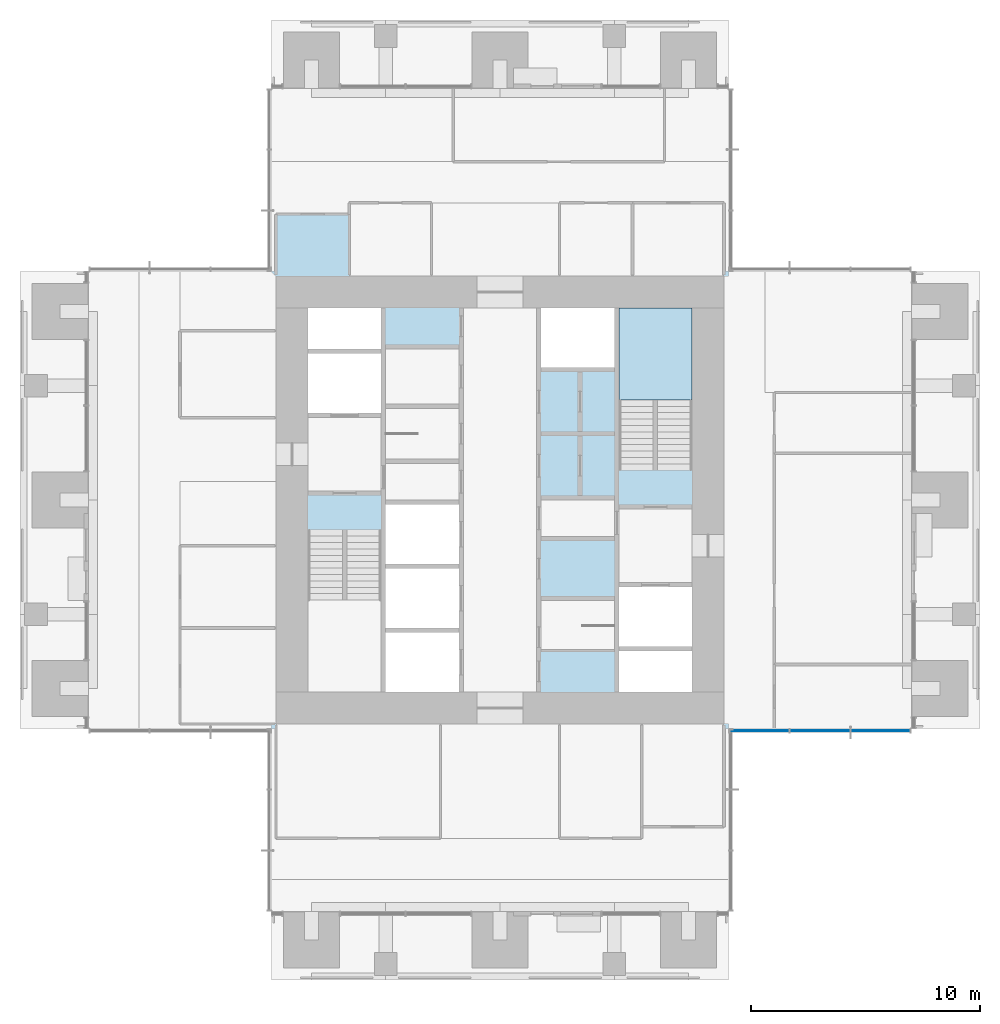
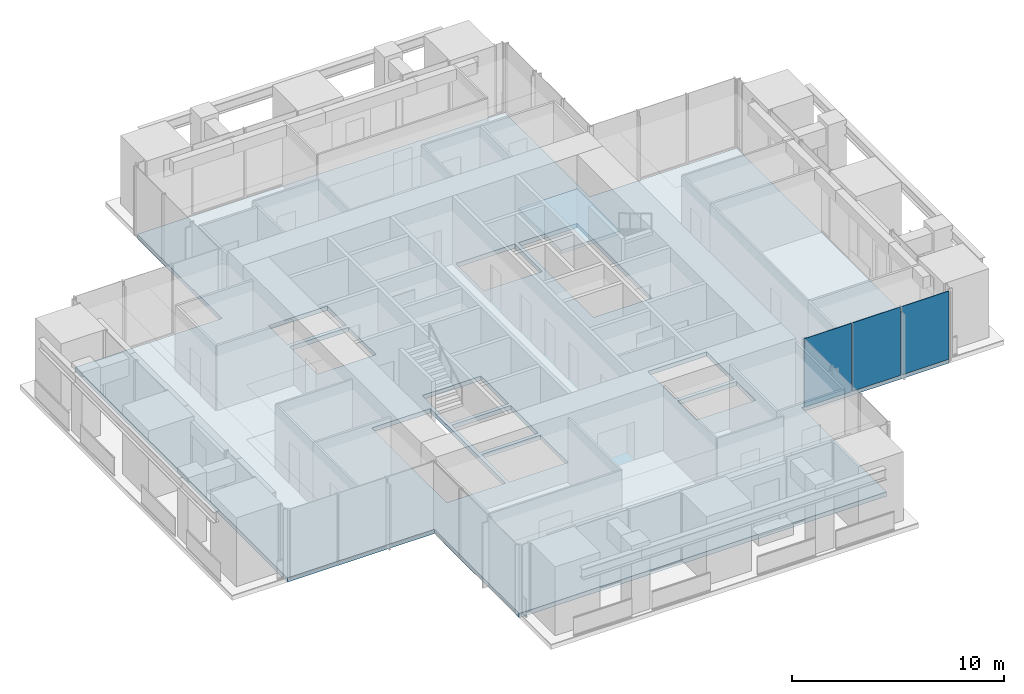
# One storey, part 9 of 17: 3 plates, 2 slabs, 2 elements without a shape of their own.
"""IFC4 building model written with IfcOpenShell, lengths in metres."""

from ifc_helpers import new_model, si_unit, direction, frame, origin, origin_2d, place, context, subcontext, project, spatial, polyline, rectangle, outline, extrude, material, layer, layer_set, type_object, element, aggregate, save


model = new_model("IFC4")

# Units and contexts
model_context = context("Model", 3, precision=1e-05, world=origin(), true_north=direction((0.0, 1.0)))
body_context = subcontext(model_context, "Body", "Model", "MODEL_VIEW")
ifc_project = project(units=[si_unit("LENGTHUNIT", "METRE"), si_unit("AREAUNIT", "SQUARE_METRE"), si_unit("VOLUMEUNIT", "CUBIC_METRE"), si_unit("PLANEANGLEUNIT", "RADIAN"), si_unit("MASSUNIT", "GRAM", prefix="KILO")], contexts=[model_context])

# Site, building, storey
site_placement = place(None, origin())
site = spatial("IfcSite", under=ifc_project, at=site_placement, CompositionType="ELEMENT")
building_placement = place(site_placement, origin())
building = spatial("IfcBuilding", under=site, at=building_placement, Name="Svetlomir Tower", CompositionType="ELEMENT")
storey_placement = place(building_placement, frame((0.0, 0.0, 186.5)))
storey = spatial("IfcBuildingStorey", under=building, at=storey_placement, Name="L44", CompositionType="ELEMENT", Elevation=186.5)

# Curtain wall, plates
ifc_material_1 = material(Name="Bronze anodised aluminium curtain wall", Category="aluminium")
curtain_wall_type = type_object("IfcCurtainWallType", Name="CURTAIN WALL CW1 TOWER OFFICE", PredefinedType="NOTDEFINED", material=ifc_material_1)
curtain_wall_placement = place(storey_placement, origin())
curtain_wall = element("IfcCurtainWall", 1, at=curtain_wall_placement, inside=storey, type_object=curtain_wall_type, Name="Curtain wall CW1 L44", PredefinedType="NOTDEFINED")
ifc_material_2 = material(Name="Tinted double glazed unit", Category="glass")
ifc_layer_1 = layer(ifc_material_2, 0.031982421875)
ifc_layer_set_1 = layer_set([ifc_layer_1], Name="Tinted double glazed unit")
plate_type = type_object("IfcPlateType", Name="CW1 GLAZED PANEL 32", PredefinedType="CURTAIN_PANEL", material=ifc_layer_set_1)
plate_1_placement = place(storey_placement, frame((32.349609375, 10.89990234375, 0.06494140625), z_axis=(0.0, 0.0, 1.0), x_axis=(1.0, 0.0, 0.0)))
plate_1 = element("IfcPlate", 2, at=plate_1_placement, type_object=plate_type, Name="CW1 panel 1.1", PredefinedType="CURTAIN_PANEL", context=body_context, shape_type="SweptSolid", body=[
    extrude(rectangle(XDim=2.569091796875, YDim=0.031982421875, at=origin_2d()), origin(), (0.0, 0.0, 1.0), 3.93505859375),
])
plate_2_placement = place(storey_placement, frame((35.0, 10.89990234375, 0.06494140625), z_axis=(0.0, 0.0, 1.0), x_axis=(1.0, 0.0, 0.0)))
plate_2 = element("IfcPlate", 3, at=plate_2_placement, type_object=plate_type, Name="CW1 panel 2.1", PredefinedType="CURTAIN_PANEL", context=body_context, shape_type="SweptSolid", body=[
    extrude(rectangle(XDim=2.6015625, YDim=0.031982421875, at=origin_2d()), origin(), (0.0, 0.0, 1.0), 3.93505859375),
])
plate_3_placement = place(storey_placement, frame((37.650390625, 10.89990234375, 0.06494140625), z_axis=(0.0, 0.0, 1.0), x_axis=(1.0, 0.0, 0.0)))
plate_3 = element("IfcPlate", 4, at=plate_3_placement, type_object=plate_type, Name="CW1 panel 3.1", PredefinedType="CURTAIN_PANEL", context=body_context, shape_type="SweptSolid", body=[
    extrude(rectangle(XDim=2.569091796875, YDim=0.031982421875, at=origin_2d()), origin(), (0.0, 0.0, 1.0), 3.93505859375),
])
aggregate(curtain_wall, [plate_1, plate_2, plate_3])

# Slab
ifc_material_3 = material(Name="Concrete C60/75", Category="concrete")
ifc_layer_2 = layer(ifc_material_3, 0.25)
ifc_layer_set_2 = layer_set([ifc_layer_2], Name="Concrete C60/75")
slab_type_1 = type_object("IfcSlabType", Name="FLOOR SLAB 250", PredefinedType="FLOOR", material=ifc_layer_set_2)
slab_1_placement = place(storey_placement, frame((0.0, 0.0, -0.25)))
element("IfcSlab", 5, at=slab_1_placement, inside=storey, type_object=slab_type_1, Name="L44 floor slab", PredefinedType="FLOOR", context=body_context, shape_type="SweptSolid", body=[
    extrude(outline(polyline([(11.0, 3.0), (31.0, 3.0), (31.0, 11.0), (39.0, 11.0), (39.0, 31.0), (31.0, 31.0), (31.0, 39.0), (11.0, 39.0), (11.0, 31.0), (3.0, 31.0), (3.0, 11.0), (11.0, 11.0), (11.0, 3.0)]), holes=[polyline([(12.60009765625, 24.800048828125), (15.800048828125, 24.800048828125), (15.800048828125, 27.39990234375), (12.60009765625, 27.39990234375), (12.60009765625, 24.800048828125)]), polyline([(26.199951171875, 14.60009765625), (29.39990234375, 14.60009765625), (29.39990234375, 17.199951171875), (26.199951171875, 17.199951171875), (26.199951171875, 14.60009765625)]), polyline([(16.0, 12.60009765625), (19.199951171875, 12.60009765625), (19.199951171875, 15.199951171875), (16.0, 15.199951171875), (16.0, 12.60009765625)]), polyline([(16.0, 15.39990234375), (19.199951171875, 15.39990234375), (19.199951171875, 18.0), (16.0, 18.0), (16.0, 15.39990234375)]), polyline([(16.0, 18.199951171875), (19.199951171875, 18.199951171875), (19.199951171875, 20.800048828125), (16.0, 20.800048828125), (16.0, 18.199951171875)]), polyline([(22.800048828125, 26.800048828125), (26.0, 26.800048828125), (26.0, 29.39990234375), (22.800048828125, 29.39990234375), (22.800048828125, 26.800048828125)]), polyline([(12.60009765625, 27.60009765625), (15.800048828125, 27.60009765625), (15.800048828125, 29.39990234375), (12.60009765625, 29.39990234375), (12.60009765625, 27.60009765625)]), polyline([(26.199951171875, 12.60009765625), (29.39990234375, 12.60009765625), (29.39990234375, 14.39990234375), (26.199951171875, 14.39990234375), (26.199951171875, 12.60009765625)]), polyline([(12.60009765625, 12.60009765625), (15.800048828125, 12.60009765625), (15.800048828125, 19.679931640625), (12.60009765625, 19.679931640625), (12.60009765625, 12.60009765625)]), polyline([(26.199951171875, 22.320068359375), (29.39990234375, 22.320068359375), (29.39990234375, 29.39990234375), (26.199951171875, 29.39990234375), (26.199951171875, 22.320068359375)])]), origin(), (0.0, 0.0, 1.0), 0.25),
])

# Stair, slab
ifc_material_4 = material(Name="Concrete C60/75", Category="concrete")
stair_type = type_object("IfcStairType", Name="EXIT STAIR 3200 RISE 4000", PredefinedType="HALF_TURN_STAIR", material=ifc_material_4)
stair_placement = place(storey_placement, origin())
stair = element("IfcStair", 6, at=stair_placement, inside=storey, type_object=stair_type, Name="Stair S2 L44 to L45", PredefinedType="HALF_TURN_STAIR")
ifc_material_5 = material(Name="Concrete C60/75", Category="concrete")
ifc_layer_3 = layer(ifc_material_5, 0.199951171875)
ifc_layer_set_3 = layer_set([ifc_layer_3], Name="Concrete C60/75")
slab_type_2 = type_object("IfcSlabType", Name="STAIR LANDING 200", PredefinedType="LANDING", material=ifc_layer_set_3)
slab_2_placement = place(storey_placement, frame((0.0, 0.0, 1.800048828125)))
slab_2 = element("IfcSlab", 7, at=slab_2_placement, type_object=slab_type_2, Name="S2 landing 1", PredefinedType="LANDING", context=body_context, shape_type="SweptSolid", body=[
    extrude(outline(polyline([(26.199951171875, 25.3798828125), (29.39990234375, 25.3798828125), (29.39990234375, 29.39990234375), (26.199951171875, 29.39990234375), (26.199951171875, 25.3798828125)])), origin(), (0.0, 0.0, 1.0), 0.199951171875),
])
aggregate(stair, [slab_2])

save(model, "model.ifc")
